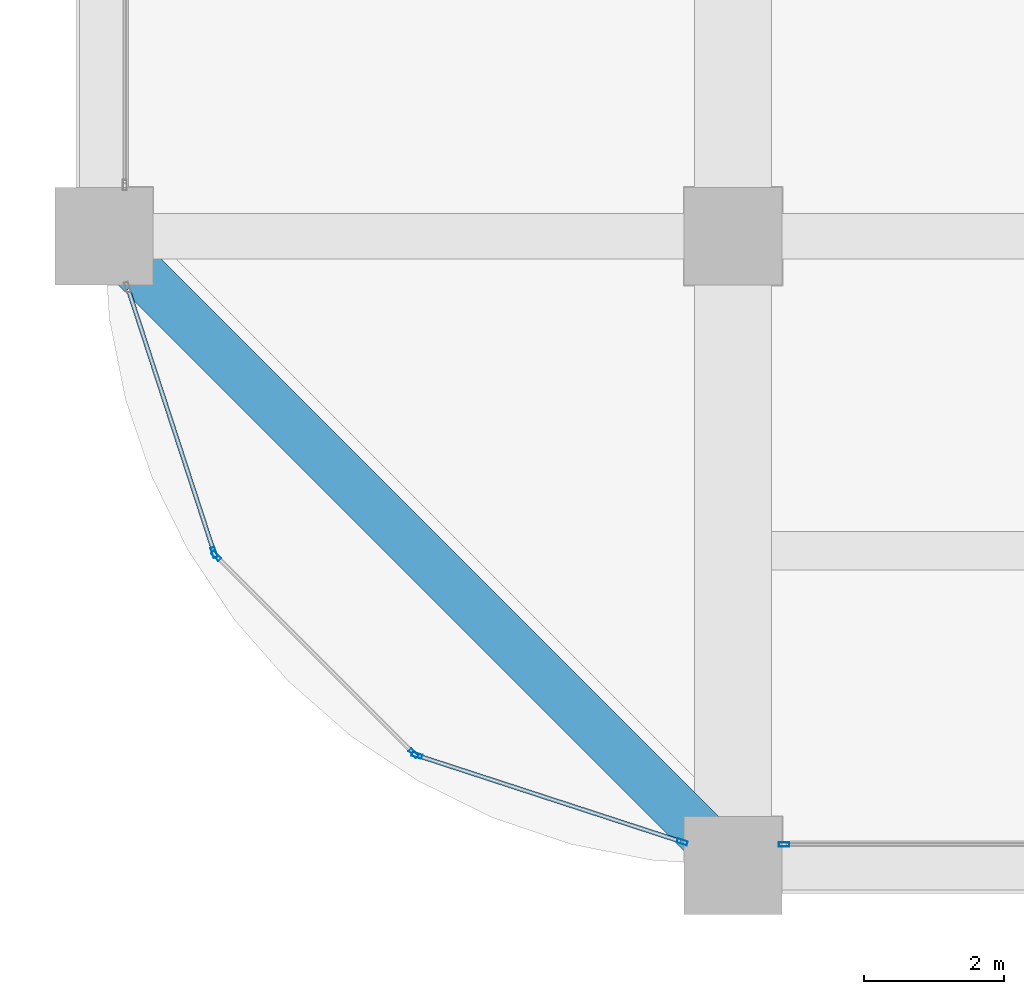
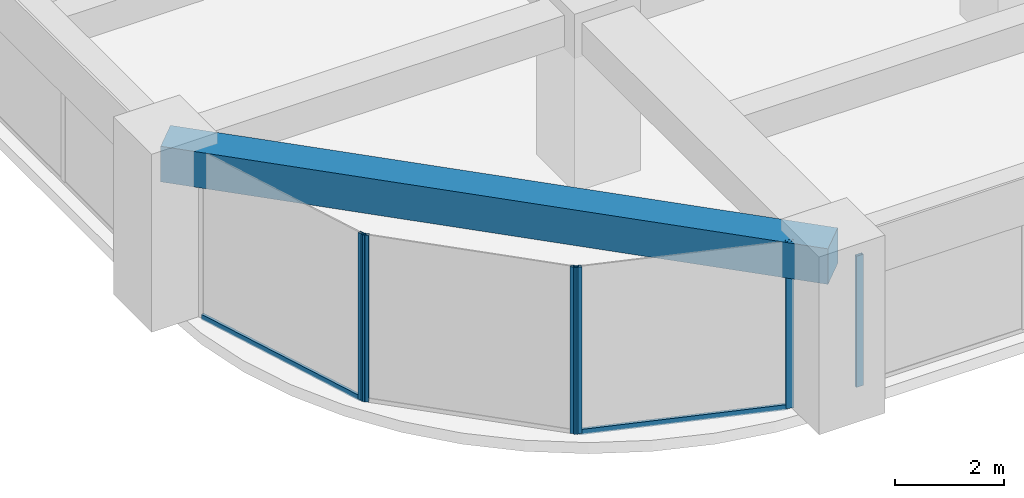
# One storey, part 2 of 32: 8 members, 1 beam, 4 elements without a shape of their own.
"""IFC4 building model written with IfcOpenShell, lengths in metres."""

from ifc_helpers import new_model, si_unit, direction, frame, origin, origin_2d, place, context, subcontext, project, spatial, rectangle, hollow_rectangle, extrude, material, material_profile, profile_set, type_object, element, aggregate, save


model = new_model("IFC4")

# Units and contexts
model_context = context("Model", 3, precision=1e-05, world=origin(), true_north=direction((0.0, 1.0)))
body_context = subcontext(model_context, "Body", "Model", "MODEL_VIEW")
ifc_project = project(units=[si_unit("LENGTHUNIT", "METRE"), si_unit("AREAUNIT", "SQUARE_METRE"), si_unit("VOLUMEUNIT", "CUBIC_METRE"), si_unit("PLANEANGLEUNIT", "RADIAN"), si_unit("MASSUNIT", "GRAM", prefix="KILO")], contexts=[model_context])

# Site, building, storey
site_placement = place(None, origin())
site = spatial("IfcSite", under=ifc_project, at=site_placement, CompositionType="ELEMENT")
building_placement = place(site_placement, origin())
building = spatial("IfcBuilding", under=site, at=building_placement, Name="Zorevar Civic Tower", CompositionType="ELEMENT")
storey_placement = place(building_placement, frame((0.0, 0.0, 198.199951171875)))
storey = spatial("IfcBuildingStorey", under=building, at=storey_placement, Name="L48", CompositionType="ELEMENT", Elevation=198.199951171875)

# Curtain wall, member
ifc_material_1 = material(Name="Dark grey solar-control glass in black aluminium frame", Category="aluminium")
curtain_wall_type = type_object("IfcCurtainWallType", Name="Curtain wall CW4 high zone", PredefinedType="NOTDEFINED", material=ifc_material_1)
curtain_wall_1_placement = place(storey_placement, origin())
curtain_wall_1 = element("IfcCurtainWall", 1, at=curtain_wall_1_placement, inside=storey, type_object=curtain_wall_type, Name="CW4 L48", PredefinedType="NOTDEFINED")
ifc_material_2 = material(Name="Aluminium, black anodised", Category="aluminium")
ifc_material_profile_1 = material_profile(ifc_material_2, hollow_rectangle(XDim=0.06005859375, YDim=0.14990234375, WallThickness=0.00390625, at=origin_2d()), Name="AL 150x60x4")
ifc_profile_set_1 = profile_set([ifc_material_profile_1], Name="Aluminium, black anodised")
member_type_1 = type_object("IfcMemberType", Name="CW4 mullion AL 150x60x4", PredefinedType="MULLION", material=ifc_profile_set_1)
member_1_placement = place(storey_placement, frame((9.72998046875, 0.300048828125, 0.0), z_axis=(0.0, 0.0, 1.0), x_axis=(0.0, 1.0, 0.0)))
member_1 = element("IfcMember", 2, at=member_1_placement, type_object=member_type_1, Name="CW4 mullion 1", PredefinedType="MULLION", context=body_context, shape_type="SweptSolid", body=[
    extrude(hollow_rectangle(XDim=0.06005859375, YDim=0.14990234375, WallThickness=0.00390625, at=origin_2d()), origin(), (0.0, 0.0, 1.0), 2.949951171875),
])
aggregate(curtain_wall_1, [member_1])

curtain_wall_2_placement = place(storey_placement, origin())
curtain_wall_2 = element("IfcCurtainWall", 3, at=curtain_wall_2_placement, inside=storey, type_object=curtain_wall_type, Name="CW4 L48", PredefinedType="NOTDEFINED")
member_2_placement = place(storey_placement, frame((1.57568359375, 4.477783203125, 0.0), z_axis=(0.0, 0.0, 1.0), x_axis=(0.950644749916, 0.310281419775, 0.0)))
member_2 = element("IfcMember", 4, at=member_2_placement, type_object=member_type_1, Name="CW4 mullion 2", PredefinedType="MULLION", context=body_context, shape_type="SweptSolid", body=[
    extrude(hollow_rectangle(XDim=0.06005859375, YDim=0.14990234375, WallThickness=0.00390625, at=origin_2d()), origin(), (0.0, 0.0, 1.0), 3.75),
])

# Curtain wall, members
curtain_wall_3_placement = place(storey_placement, origin())
curtain_wall_3 = element("IfcCurtainWall", 5, at=curtain_wall_3_placement, inside=storey, type_object=curtain_wall_type, Name="CW4 L48", PredefinedType="NOTDEFINED")
member_3_placement = place(storey_placement, frame((1.606201171875, 4.427978515625, 0.0), z_axis=(0.0, 0.0, 1.0), x_axis=(0.707106781187, 0.707106781187, 0.0)))
member_3 = element("IfcMember", 6, at=member_3_placement, type_object=member_type_1, Name="CW4 mullion 1", PredefinedType="MULLION", context=body_context, shape_type="SweptSolid", body=[
    extrude(hollow_rectangle(XDim=0.06005859375, YDim=0.14990234375, WallThickness=0.00390625, at=origin_2d()), origin(), (0.0, 0.0, 1.0), 3.75),
])
member_4_placement = place(storey_placement, frame((4.427978515625, 1.606201171875, 0.0), z_axis=(0.0, 0.0, 1.0), x_axis=(0.707106781187, 0.707106781187, 0.0)))
member_4 = element("IfcMember", 7, at=member_4_placement, type_object=member_type_1, Name="CW4 mullion 2", PredefinedType="MULLION", context=body_context, shape_type="SweptSolid", body=[
    extrude(hollow_rectangle(XDim=0.06005859375, YDim=0.14990234375, WallThickness=0.00390625, at=origin_2d()), origin(), (0.0, 0.0, 1.0), 3.75),
])
aggregate(curtain_wall_3, [member_3, member_4])

curtain_wall_4_placement = place(storey_placement, origin())
curtain_wall_4 = element("IfcCurtainWall", 8, at=curtain_wall_4_placement, inside=storey, type_object=curtain_wall_type, Name="CW4 L48", PredefinedType="NOTDEFINED")
member_5_placement = place(storey_placement, frame((4.477783203125, 1.57568359375, 0.0), z_axis=(0.0, 0.0, 1.0), x_axis=(0.310281419775, 0.950644749916, 0.0)))
member_5 = element("IfcMember", 9, at=member_5_placement, type_object=member_type_1, Name="CW4 mullion 1", PredefinedType="MULLION", context=body_context, shape_type="SweptSolid", body=[
    extrude(hollow_rectangle(XDim=0.06005859375, YDim=0.14990234375, WallThickness=0.00390625, at=origin_2d()), origin(), (0.0, 0.0, 1.0), 3.75),
])
member_6_placement = place(storey_placement, frame((8.271484375, 0.337646484375, 0.0), z_axis=(0.0, 0.0, 1.0), x_axis=(0.310281419775, 0.950644749916, 0.0)))
member_6 = element("IfcMember", 10, at=member_6_placement, type_object=member_type_1, Name="CW4 mullion 2", PredefinedType="MULLION", context=body_context, shape_type="SweptSolid", body=[
    extrude(hollow_rectangle(XDim=0.06005859375, YDim=0.14990234375, WallThickness=0.00390625, at=origin_2d()), origin(), (0.0, 0.0, 1.0), 3.75),
])

# Member
ifc_material_3 = material(Name="Aluminium, black anodised", Category="aluminium")
ifc_material_profile_2 = material_profile(ifc_material_3, hollow_rectangle(XDim=0.06005859375, YDim=0.1201171875, WallThickness=0.0029296875, at=origin_2d()), Name="AL 120x60x3")
ifc_profile_set_2 = profile_set([ifc_material_profile_2], Name="Aluminium, black anodised")
member_type_2 = type_object("IfcMemberType", Name="CW4 transom AL 120x60x3", PredefinedType="USERDEFINED", material=ifc_profile_set_2)
member_7_placement = place(storey_placement, frame((0.346923828125, 8.242919921875, 0.030029296875), z_axis=(0.31025859143, -0.950652200568, 0.0), x_axis=(0.950652200568, 0.31025859143, 0.0)))
member_7 = element("IfcMember", 11, at=member_7_placement, type_object=member_type_2, Name="CW4 sill transom", ObjectType="TRANSOM", PredefinedType="USERDEFINED", context=body_context, shape_type="SweptSolid", body=[
    extrude(hollow_rectangle(XDim=0.06005859375, YDim=0.1201171875, WallThickness=0.0029296875, at=origin_2d()), origin(), (0.0, 0.0, 1.0), 3.930419921875),
])

aggregate(curtain_wall_2, [member_2, member_7])

member_8_placement = place(storey_placement, frame((4.50634765625, 1.56640625, 0.030029296875), z_axis=(0.950652200568, -0.31025859143, 0.0), x_axis=(0.31025859143, 0.950652200568, 0.0)))
member_8 = element("IfcMember", 12, at=member_8_placement, type_object=member_type_2, Name="CW4 sill transom", ObjectType="TRANSOM", PredefinedType="USERDEFINED", context=body_context, shape_type="SweptSolid", body=[
    extrude(hollow_rectangle(XDim=0.06005859375, YDim=0.1201171875, WallThickness=0.0029296875, at=origin_2d()), origin(), (0.0, 0.0, 1.0), 3.930419921875),
])

aggregate(curtain_wall_4, [member_5, member_6, member_8])

# Beam
ifc_material_4 = material(Name="Concrete C50/60", Category="concrete")
ifc_material_profile_3 = material_profile(ifc_material_4, rectangle(XDim=0.699951171875, YDim=0.800048828125, at=origin_2d()), Name="RC 700x800")
ifc_profile_set_3 = profile_set([ifc_material_profile_3], Name="Concrete C50/60")
beam_type = type_object("IfcBeamType", Name="Edge beam RC 700x800", PredefinedType="SPANDREL", material=ifc_profile_set_3)
beam_placement = place(storey_placement, frame((0.0, 9.0, 3.35009765625), z_axis=(0.707106781187, -0.707106781187, 0.0), x_axis=(0.707106781187, 0.707106781187, 0.0)))
element("IfcBeam", 13, at=beam_placement, inside=storey, type_object=beam_type, Name="Corner edge beam L49", PredefinedType="SPANDREL", context=body_context, shape_type="SweptSolid", body=[
    extrude(rectangle(XDim=0.699951171875, YDim=0.800048828125, at=origin_2d()), origin(), (0.0, 0.0, 1.0), 12.72802734375),
])

save(model, "model.ifc")
